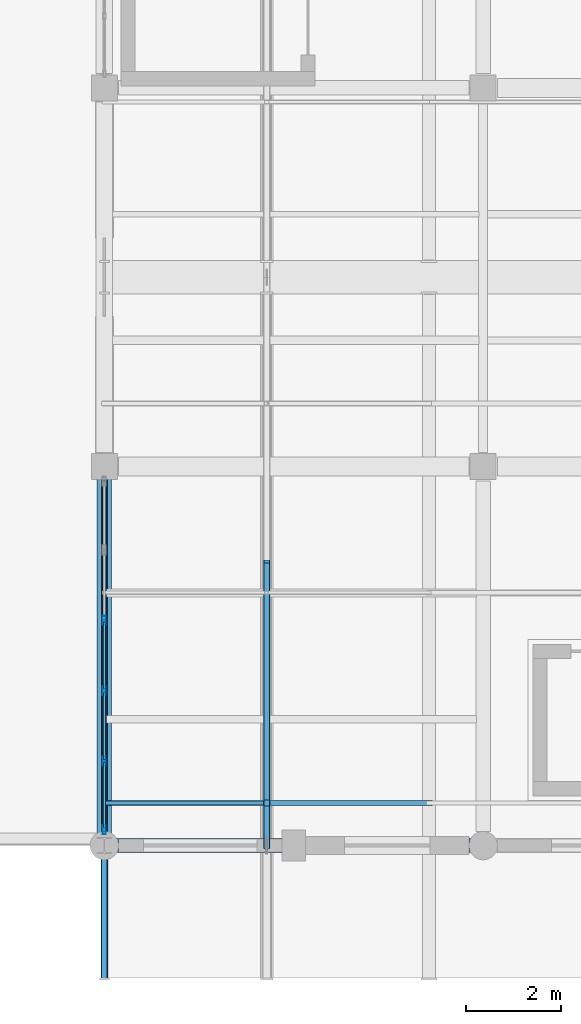
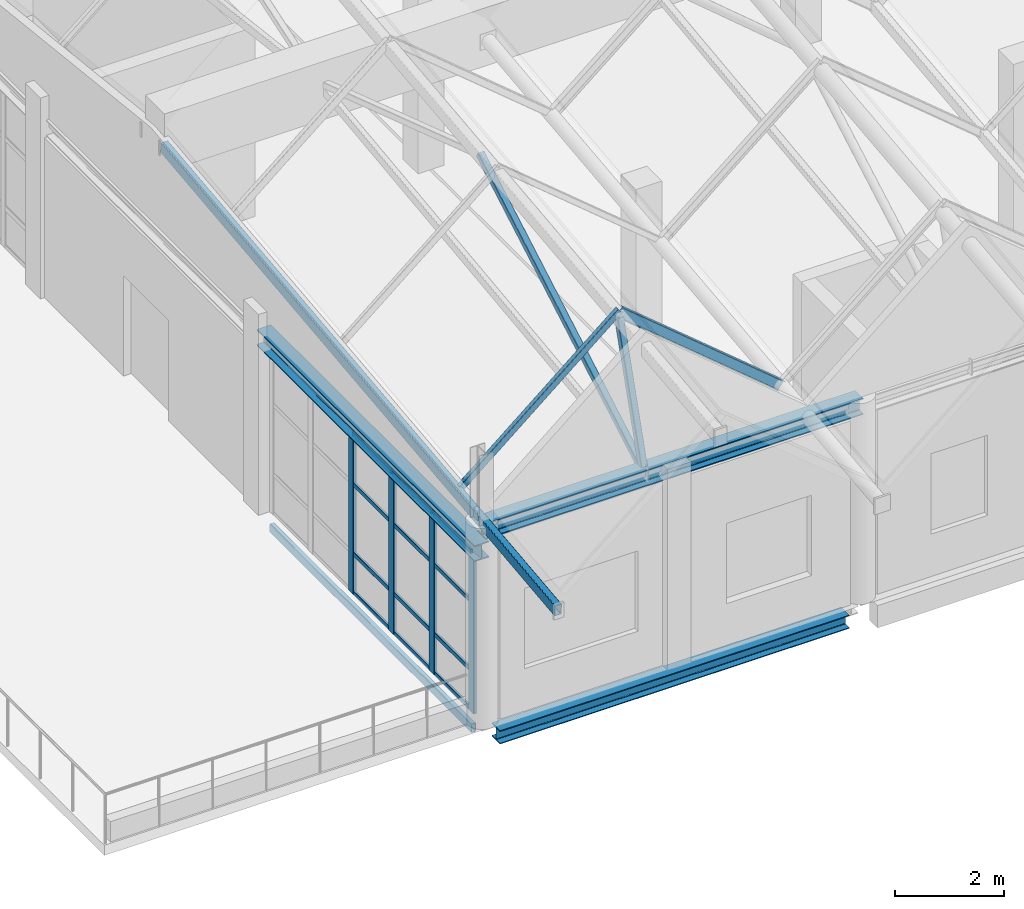
# One storey, part 52 of 183: 20 members, 5 beams, 1 element without a shape of its own.
"""IFC4 building model written with IfcOpenShell, lengths in metres."""

from ifc_helpers import new_model, si_unit, direction, frame, origin, origin_2d, place, context, subcontext, project, spatial, hollow_rectangle, i_section, extrude, material, material_profile, profile_set, type_object, element, aggregate, save


model = new_model("IFC4")

# Units and contexts
model_context = context("Model", 3, precision=1e-05, world=origin(), true_north=direction((0.0, 1.0)))
body_context = subcontext(model_context, "Body", "Model", "MODEL_VIEW")
ifc_project = project(units=[si_unit("LENGTHUNIT", "METRE"), si_unit("AREAUNIT", "SQUARE_METRE"), si_unit("VOLUMEUNIT", "CUBIC_METRE"), si_unit("PLANEANGLEUNIT", "RADIAN"), si_unit("MASSUNIT", "GRAM", prefix="KILO")], contexts=[model_context])

# Site, building, storey
site_placement = place(None, origin())
site = spatial("IfcSite", under=ifc_project, at=site_placement, CompositionType="ELEMENT")
building_placement = place(site_placement, origin())
building = spatial("IfcBuilding", under=site, at=building_placement, Name="Luwemba Playhouse", CompositionType="ELEMENT")
storey_placement = place(building_placement, frame((0.0, 0.0, 4.800048828125)))
storey = spatial("IfcBuildingStorey", under=building, at=storey_placement, Name="L01", CompositionType="ELEMENT", Elevation=4.800048828125)

# Beams
ifc_material_1 = material(Name="Steel S355", Category="steel")
ifc_material_profile_1 = material_profile(ifc_material_1, hollow_rectangle(XDim=0.14990234375, YDim=0.25, WallThickness=0.010009765625, InnerFilletRadius=0.014892578125, OuterFilletRadius=0.02490234375, at=origin_2d()))
ifc_profile_set_1 = profile_set([ifc_material_profile_1], Name="Steel S355")
beam_type_1 = type_object("IfcBeamType", Name="BM-RTG1", PredefinedType="USERDEFINED", material=ifc_profile_set_1)
beam_1_placement = place(storey_placement, frame((124.0, 0.199951171875, 4.166259765625), z_axis=(0.0, 0.993786292845, 0.111305005073), x_axis=(-1.0, 0.0, 0.0)))
element("IfcBeam", 1, at=beam_1_placement, inside=storey, type_object=beam_type_1, Name="ROOF TRUSS valley girder 0312", ObjectType="ROOF TRUSS", PredefinedType="USERDEFINED", context=body_context, shape_type="SweptSolid", body=[
    extrude(hollow_rectangle(XDim=0.14990234375, YDim=0.25, WallThickness=0.010009765625, InnerFilletRadius=0.014892578125, OuterFilletRadius=0.02490234375, at=origin_2d()), origin(), (0.0, 0.0, 1.0), 14.540283203125),
])
ifc_material_profile_2 = material_profile(ifc_material_1, i_section(OverallWidth=0.300048828125, OverallDepth=0.360107421875, WebThickness=0.012451171875, FlangeThickness=0.0224609375, FilletRadius=0.027099609375, at=origin_2d()))
ifc_profile_set_2 = profile_set([ifc_material_profile_2], Name="Steel S355")
beam_type_2 = type_object("IfcBeamType", Name="BM-SB09", PredefinedType="BEAM", material=ifc_profile_set_2)
for number, where, z_axis, x_axis, name in (
    (2, (124.0, 3.0, 4.320068359375), (1.0, 0.0, 0.0), (0.0, 1.0, 0.0), "RF-V5E eave ring beam 0291"),
    (3, (124.0, 3.0, 3.780029296875), (0.0, 1.0, 0.0), (-1.0, 0.0, 0.0), "RF-V5E gable ring beam 0303"),
):
    element("IfcBeam", number, at=place(storey_placement, frame(where, z_axis=z_axis, x_axis=x_axis)), inside=storey, type_object=beam_type_2, Name=name, PredefinedType="BEAM", context=body_context, shape_type="SweptSolid", body=[
        extrude(i_section(OverallWidth=0.300048828125, OverallDepth=0.360107421875, WebThickness=0.012451171875, FlangeThickness=0.0224609375, FilletRadius=0.027099609375, at=origin_2d()), origin(), (0.0, 0.0, 1.0), 8.0),
    ])
ifc_material_profile_3 = material_profile(ifc_material_1, i_section(OverallWidth=0.300048828125, OverallDepth=0.300048828125, WebThickness=0.010986328125, FlangeThickness=0.01904296875, FilletRadius=0.027099609375, at=origin_2d()))
ifc_profile_set_3 = profile_set([ifc_material_profile_3], Name="Steel S355")
beam_type_3 = type_object("IfcBeamType", Name="BM-SSP1", PredefinedType="SPANDREL", material=ifc_profile_set_3)
beam_2_placement = place(storey_placement, frame((124.300048828125, 3.0, -0.400146484375), z_axis=(1.0, 0.0, 0.0), x_axis=(0.0, 1.0, 0.0)))
element("IfcBeam", 4, at=beam_2_placement, inside=storey, type_object=beam_type_3, Name="L01 grid girder 0519", PredefinedType="SPANDREL", context=body_context, shape_type="SweptSolid", body=[
    extrude(i_section(OverallWidth=0.300048828125, OverallDepth=0.300048828125, WebThickness=0.010986328125, FlangeThickness=0.01904296875, FilletRadius=0.027099609375, at=origin_2d()), origin(), (0.0, 0.0, 1.0), 7.39990234375),
])
ifc_material_profile_4 = material_profile(ifc_material_1, hollow_rectangle(XDim=0.10009765625, YDim=0.199951171875, WallThickness=0.008056640625, InnerFilletRadius=0.011962890625, OuterFilletRadius=0.02001953125, at=origin_2d()))
ifc_profile_set_4 = profile_set([ifc_material_profile_4], Name="Steel S355")
beam_type_4 = type_object("IfcBeamType", Name="BM-SSP2", PredefinedType="SPANDREL", material=ifc_profile_set_4)
beam_3_placement = place(storey_placement, frame((124.0, 3.300048828125, -0.35009765625), z_axis=(0.0, 1.0, 0.0), x_axis=(-1.0, 0.0, 0.0)))
element("IfcBeam", 5, at=beam_3_placement, inside=storey, type_object=beam_type_4, Name="L01 transverse girder 0543", PredefinedType="SPANDREL", context=body_context, shape_type="SweptSolid", body=[
    extrude(hollow_rectangle(XDim=0.10009765625, YDim=0.199951171875, WallThickness=0.008056640625, InnerFilletRadius=0.011962890625, OuterFilletRadius=0.02001953125, at=origin_2d()), origin(), (0.0, 0.0, 1.0), 7.39990234375),
])

# Curtain wall, members
ifc_material_2 = material(Name="Solar-control double glazing", Category="glass")
curtain_wall_type = type_object("IfcCurtainWallType", Name="CW-CW115", PredefinedType="USERDEFINED", material=ifc_material_2)
curtain_wall_placement = place(storey_placement, origin())
curtain_wall = element("IfcCurtainWall", 6, at=curtain_wall_placement, inside=storey, type_object=curtain_wall_type, Name="L01 V5E unitised curtain wall 153", ObjectType="UNITISED GLAZING", PredefinedType="USERDEFINED")
ifc_material_3 = material(Name="Aluminium 6063-T6", Category="aluminium")
ifc_material_profile_5 = material_profile(ifc_material_3, hollow_rectangle(XDim=0.070068359375, YDim=0.18994140625, WallThickness=0.0048828125, InnerFilletRadius=0.007568359375, OuterFilletRadius=0.012451171875, at=origin_2d()))
ifc_profile_set_5 = profile_set([ifc_material_profile_5], Name="Aluminium 6063-T6")
member_type_1 = type_object("IfcMemberType", Name="CWM-M4", PredefinedType="MULLION", material=ifc_profile_set_5)
member_1_placement = place(storey_placement, frame((124.0, 3.3349609375, 0.0), z_axis=(0.0, 0.0, 1.0), x_axis=(-1.0, 0.0, 0.0)))
member_1 = element("IfcMember", 7, at=member_1_placement, type_object=member_type_1, Name="CW115 mullion 1", PredefinedType="MULLION", context=body_context, shape_type="SweptSolid", body=[
    extrude(hollow_rectangle(XDim=0.070068359375, YDim=0.18994140625, WallThickness=0.0048828125, InnerFilletRadius=0.007568359375, OuterFilletRadius=0.012451171875, at=origin_2d()), origin(), (0.0, 0.0, 1.0), 3.5849609375),
])
member_2_placement = place(storey_placement, frame((124.0, 4.784912109375, 0.0), z_axis=(0.0, 0.0, 1.0), x_axis=(-1.0, 0.0, 0.0)))
member_2 = element("IfcMember", 8, at=member_2_placement, type_object=member_type_1, Name="CW115 mullion 2", PredefinedType="MULLION", context=body_context, shape_type="SweptSolid", body=[
    extrude(hollow_rectangle(XDim=0.070068359375, YDim=0.18994140625, WallThickness=0.0048828125, InnerFilletRadius=0.007568359375, OuterFilletRadius=0.012451171875, at=origin_2d()), origin(), (0.0, 0.0, 1.0), 3.5849609375),
])
member_3_placement = place(storey_placement, frame((124.0, 6.27001953125, 0.0), z_axis=(0.0, 0.0, 1.0), x_axis=(-1.0, 0.0, 0.0)))
member_3 = element("IfcMember", 9, at=member_3_placement, type_object=member_type_1, Name="CW115 mullion 3", PredefinedType="MULLION", context=body_context, shape_type="SweptSolid", body=[
    extrude(hollow_rectangle(XDim=0.070068359375, YDim=0.18994140625, WallThickness=0.0048828125, InnerFilletRadius=0.007568359375, OuterFilletRadius=0.012451171875, at=origin_2d()), origin(), (0.0, 0.0, 1.0), 3.5849609375),
])
member_4_placement = place(storey_placement, frame((124.0, 7.7548828125, 0.0), z_axis=(0.0, 0.0, 1.0), x_axis=(-1.0, 0.0, 0.0)))
member_4 = element("IfcMember", 10, at=member_4_placement, type_object=member_type_1, Name="CW115 mullion 4", PredefinedType="MULLION", context=body_context, shape_type="SweptSolid", body=[
    extrude(hollow_rectangle(XDim=0.070068359375, YDim=0.18994140625, WallThickness=0.0048828125, InnerFilletRadius=0.007568359375, OuterFilletRadius=0.012451171875, at=origin_2d()), origin(), (0.0, 0.0, 1.0), 3.5849609375),
])
ifc_material_profile_6 = material_profile(ifc_material_3, hollow_rectangle(XDim=0.050048828125, YDim=0.10009765625, WallThickness=0.00341796875, InnerFilletRadius=0.00537109375, OuterFilletRadius=0.0087890625, at=origin_2d()))
ifc_profile_set_6 = profile_set([ifc_material_profile_6], Name="Aluminium 6063-T6")
member_type_2 = type_object("IfcMemberType", Name="CWT-T4", PredefinedType="USERDEFINED", material=ifc_profile_set_6)
member_5_placement = place(storey_placement, frame((124.0, 3.3701171875, 0.02490234375), z_axis=(0.0, 1.0, 0.0), x_axis=(-1.0, 0.0, 0.0)))
member_5 = element("IfcMember", 11, at=member_5_placement, type_object=member_type_2, Name="CW115 transom 1.1", ObjectType="TRANSOM", PredefinedType="USERDEFINED", context=body_context, shape_type="SweptSolid", body=[
    extrude(hollow_rectangle(XDim=0.050048828125, YDim=0.10009765625, WallThickness=0.00341796875, InnerFilletRadius=0.00537109375, OuterFilletRadius=0.0087890625, at=origin_2d()), origin(), (0.0, 0.0, 1.0), 1.3798828125),
])
member_6_placement = place(storey_placement, frame((124.0, 3.3701171875, 0.89990234375), z_axis=(0.0, 1.0, 0.0), x_axis=(-1.0, 0.0, 0.0)))
member_6 = element("IfcMember", 12, at=member_6_placement, type_object=member_type_2, Name="CW115 transom 1.2", ObjectType="TRANSOM", PredefinedType="USERDEFINED", context=body_context, shape_type="SweptSolid", body=[
    extrude(hollow_rectangle(XDim=0.050048828125, YDim=0.10009765625, WallThickness=0.00341796875, InnerFilletRadius=0.00537109375, OuterFilletRadius=0.0087890625, at=origin_2d()), origin(), (0.0, 0.0, 1.0), 1.3798828125),
])
member_7_placement = place(storey_placement, frame((124.0, 3.3701171875, 2.449951171875), z_axis=(0.0, 1.0, 0.0), x_axis=(-1.0, 0.0, 0.0)))
member_7 = element("IfcMember", 13, at=member_7_placement, type_object=member_type_2, Name="CW115 transom 1.3", ObjectType="TRANSOM", PredefinedType="USERDEFINED", context=body_context, shape_type="SweptSolid", body=[
    extrude(hollow_rectangle(XDim=0.050048828125, YDim=0.10009765625, WallThickness=0.00341796875, InnerFilletRadius=0.00537109375, OuterFilletRadius=0.0087890625, at=origin_2d()), origin(), (0.0, 0.0, 1.0), 1.3798828125),
])
member_8_placement = place(storey_placement, frame((124.0, 3.3701171875, 3.56005859375), z_axis=(0.0, 1.0, 0.0), x_axis=(-1.0, 0.0, 0.0)))
member_8 = element("IfcMember", 14, at=member_8_placement, type_object=member_type_2, Name="CW115 transom 1.4", ObjectType="TRANSOM", PredefinedType="USERDEFINED", context=body_context, shape_type="SweptSolid", body=[
    extrude(hollow_rectangle(XDim=0.050048828125, YDim=0.10009765625, WallThickness=0.00341796875, InnerFilletRadius=0.00537109375, OuterFilletRadius=0.0087890625, at=origin_2d()), origin(), (0.0, 0.0, 1.0), 1.3798828125),
])
member_9_placement = place(storey_placement, frame((124.0, 4.820068359375, 0.02490234375), z_axis=(0.0, 1.0, 0.0), x_axis=(-1.0, 0.0, 0.0)))
member_9 = element("IfcMember", 15, at=member_9_placement, type_object=member_type_2, Name="CW115 transom 2.1", ObjectType="TRANSOM", PredefinedType="USERDEFINED", context=body_context, shape_type="SweptSolid", body=[
    extrude(hollow_rectangle(XDim=0.050048828125, YDim=0.10009765625, WallThickness=0.00341796875, InnerFilletRadius=0.00537109375, OuterFilletRadius=0.0087890625, at=origin_2d()), origin(), (0.0, 0.0, 1.0), 1.4150390625),
])
member_10_placement = place(storey_placement, frame((124.0, 4.820068359375, 0.89990234375), z_axis=(0.0, 1.0, 0.0), x_axis=(-1.0, 0.0, 0.0)))
member_10 = element("IfcMember", 16, at=member_10_placement, type_object=member_type_2, Name="CW115 transom 2.2", ObjectType="TRANSOM", PredefinedType="USERDEFINED", context=body_context, shape_type="SweptSolid", body=[
    extrude(hollow_rectangle(XDim=0.050048828125, YDim=0.10009765625, WallThickness=0.00341796875, InnerFilletRadius=0.00537109375, OuterFilletRadius=0.0087890625, at=origin_2d()), origin(), (0.0, 0.0, 1.0), 1.4150390625),
])
member_11_placement = place(storey_placement, frame((124.0, 4.820068359375, 2.449951171875), z_axis=(0.0, 1.0, 0.0), x_axis=(-1.0, 0.0, 0.0)))
member_11 = element("IfcMember", 17, at=member_11_placement, type_object=member_type_2, Name="CW115 transom 2.3", ObjectType="TRANSOM", PredefinedType="USERDEFINED", context=body_context, shape_type="SweptSolid", body=[
    extrude(hollow_rectangle(XDim=0.050048828125, YDim=0.10009765625, WallThickness=0.00341796875, InnerFilletRadius=0.00537109375, OuterFilletRadius=0.0087890625, at=origin_2d()), origin(), (0.0, 0.0, 1.0), 1.4150390625),
])
member_12_placement = place(storey_placement, frame((124.0, 4.820068359375, 3.56005859375), z_axis=(0.0, 1.0, 0.0), x_axis=(-1.0, 0.0, 0.0)))
member_12 = element("IfcMember", 18, at=member_12_placement, type_object=member_type_2, Name="CW115 transom 2.4", ObjectType="TRANSOM", PredefinedType="USERDEFINED", context=body_context, shape_type="SweptSolid", body=[
    extrude(hollow_rectangle(XDim=0.050048828125, YDim=0.10009765625, WallThickness=0.00341796875, InnerFilletRadius=0.00537109375, OuterFilletRadius=0.0087890625, at=origin_2d()), origin(), (0.0, 0.0, 1.0), 1.4150390625),
])
member_13_placement = place(storey_placement, frame((124.0, 6.304931640625, 0.02490234375), z_axis=(0.0, 1.0, 0.0), x_axis=(-1.0, 0.0, 0.0)))
member_13 = element("IfcMember", 19, at=member_13_placement, type_object=member_type_2, Name="CW115 transom 3.1", ObjectType="TRANSOM", PredefinedType="USERDEFINED", context=body_context, shape_type="SweptSolid", body=[
    extrude(hollow_rectangle(XDim=0.050048828125, YDim=0.10009765625, WallThickness=0.00341796875, InnerFilletRadius=0.00537109375, OuterFilletRadius=0.0087890625, at=origin_2d()), origin(), (0.0, 0.0, 1.0), 1.4150390625),
])
member_14_placement = place(storey_placement, frame((124.0, 6.304931640625, 0.89990234375), z_axis=(0.0, 1.0, 0.0), x_axis=(-1.0, 0.0, 0.0)))
member_14 = element("IfcMember", 20, at=member_14_placement, type_object=member_type_2, Name="CW115 transom 3.2", ObjectType="TRANSOM", PredefinedType="USERDEFINED", context=body_context, shape_type="SweptSolid", body=[
    extrude(hollow_rectangle(XDim=0.050048828125, YDim=0.10009765625, WallThickness=0.00341796875, InnerFilletRadius=0.00537109375, OuterFilletRadius=0.0087890625, at=origin_2d()), origin(), (0.0, 0.0, 1.0), 1.4150390625),
])
member_15_placement = place(storey_placement, frame((124.0, 6.304931640625, 2.449951171875), z_axis=(0.0, 1.0, 0.0), x_axis=(-1.0, 0.0, 0.0)))
member_15 = element("IfcMember", 21, at=member_15_placement, type_object=member_type_2, Name="CW115 transom 3.3", ObjectType="TRANSOM", PredefinedType="USERDEFINED", context=body_context, shape_type="SweptSolid", body=[
    extrude(hollow_rectangle(XDim=0.050048828125, YDim=0.10009765625, WallThickness=0.00341796875, InnerFilletRadius=0.00537109375, OuterFilletRadius=0.0087890625, at=origin_2d()), origin(), (0.0, 0.0, 1.0), 1.4150390625),
])
member_16_placement = place(storey_placement, frame((124.0, 6.304931640625, 3.56005859375), z_axis=(0.0, 1.0, 0.0), x_axis=(-1.0, 0.0, 0.0)))
member_16 = element("IfcMember", 22, at=member_16_placement, type_object=member_type_2, Name="CW115 transom 3.4", ObjectType="TRANSOM", PredefinedType="USERDEFINED", context=body_context, shape_type="SweptSolid", body=[
    extrude(hollow_rectangle(XDim=0.050048828125, YDim=0.10009765625, WallThickness=0.00341796875, InnerFilletRadius=0.00537109375, OuterFilletRadius=0.0087890625, at=origin_2d()), origin(), (0.0, 0.0, 1.0), 1.4150390625),
])
aggregate(curtain_wall, [member_1, member_2, member_3, member_4, member_5, member_6, member_7, member_8, member_9, member_10, member_11, member_12, member_13, member_14, member_15, member_16])

# Members
ifc_material_profile_7 = material_profile(ifc_material_1, hollow_rectangle(XDim=0.139892578125, YDim=0.139892578125, WallThickness=0.008056640625, InnerFilletRadius=0.011962890625, OuterFilletRadius=0.02001953125, at=origin_2d()))
ifc_profile_set_7 = profile_set([ifc_material_profile_7], Name="Steel S355")
member_type_3 = type_object("IfcMemberType", Name="MEM-MB07", PredefinedType="BRACE", material=ifc_profile_set_7)
member_17_placement = place(storey_placement, frame((127.4287109375, 3.0, 4.39990234375), z_axis=(0.0, 0.866512940122, 0.499154609917), x_axis=(-1.0, 0.0, 0.0)))
element("IfcMember", 23, at=member_17_placement, inside=storey, type_object=member_type_3, Name="ROOF TRUSS web diagonal 0267", PredefinedType="BRACE", context=body_context, shape_type="SweptSolid", body=[
    extrude(hollow_rectangle(XDim=0.139892578125, YDim=0.139892578125, WallThickness=0.008056640625, InnerFilletRadius=0.011962890625, OuterFilletRadius=0.02001953125, at=origin_2d()), origin(), (0.0, 0.0, 1.0), 6.92431640625),
])
member_18_placement = place(storey_placement, frame((127.4287109375, 3.0, 4.39990234375), z_axis=(0.0, 0.297773567403, 0.954636529029), x_axis=(-1.0, 0.0, 0.0)))
element("IfcMember", 24, at=member_18_placement, inside=storey, type_object=member_type_3, Name="ROOF TRUSS eave knee strut 0072", PredefinedType="BRACE", context=body_context, shape_type="SweptSolid", body=[
    extrude(hollow_rectangle(XDim=0.139892578125, YDim=0.139892578125, WallThickness=0.008056640625, InnerFilletRadius=0.011962890625, OuterFilletRadius=0.02001953125, at=origin_2d()), origin(), (0.0, 0.0, 1.0), 3.022216796875),
])
ifc_material_profile_8 = material_profile(ifc_material_1, hollow_rectangle(XDim=0.10009765625, YDim=0.14990234375, WallThickness=0.008056640625, InnerFilletRadius=0.011962890625, OuterFilletRadius=0.02001953125, at=origin_2d()))
ifc_profile_set_8 = profile_set([ifc_material_profile_8], Name="Steel S355")
member_type_4 = type_object("IfcMemberType", Name="MEM-MP02", PredefinedType="PURLIN", material=ifc_profile_set_8)
member_19_placement = place(storey_placement, frame((124.0, 3.89990234375, 4.593994140625), z_axis=(0.768364765209, 0.0, 0.640012177685), x_axis=(0.0, 1.0, 0.0)))
element("IfcMember", 25, at=member_19_placement, inside=storey, type_object=member_type_4, Name="Pleated roof purlin 0529", PredefinedType="PURLIN", context=body_context, shape_type="SweptSolid", body=[
    extrude(hollow_rectangle(XDim=0.10009765625, YDim=0.14990234375, WallThickness=0.008056640625, InnerFilletRadius=0.011962890625, OuterFilletRadius=0.02001953125, at=origin_2d()), origin(), (0.0, 0.0, 1.0), 4.46240234375),
])
ifc_material_profile_9 = material_profile(ifc_material_1, i_section(OverallWidth=0.110107421875, OverallDepth=0.219970703125, WebThickness=0.005859375, FlangeThickness=0.00927734375, FilletRadius=0.011962890625, at=origin_2d()))
ifc_profile_set_9 = profile_set([ifc_material_profile_9], Name="Steel S355")
member_type_5 = type_object("IfcMemberType", Name="MEM-MP08", PredefinedType="PURLIN", material=ifc_profile_set_9)
member_20_placement = place(storey_placement, frame((127.4287109375, 3.89990234375, 7.41064453125), z_axis=(0.768369259913, 0.0, -0.640006781543), x_axis=(0.0, 1.0, 0.0)))
element("IfcMember", 26, at=member_20_placement, inside=storey, type_object=member_type_5, Name="Pleated roof purlin 0535", PredefinedType="PURLIN", context=body_context, shape_type="SweptSolid", body=[
    extrude(i_section(OverallWidth=0.110107421875, OverallDepth=0.219970703125, WebThickness=0.005859375, FlangeThickness=0.00927734375, FilletRadius=0.011962890625, at=origin_2d()), origin(), (0.0, 0.0, 1.0), 4.4619140625),
])

save(model, "model.ifc")
